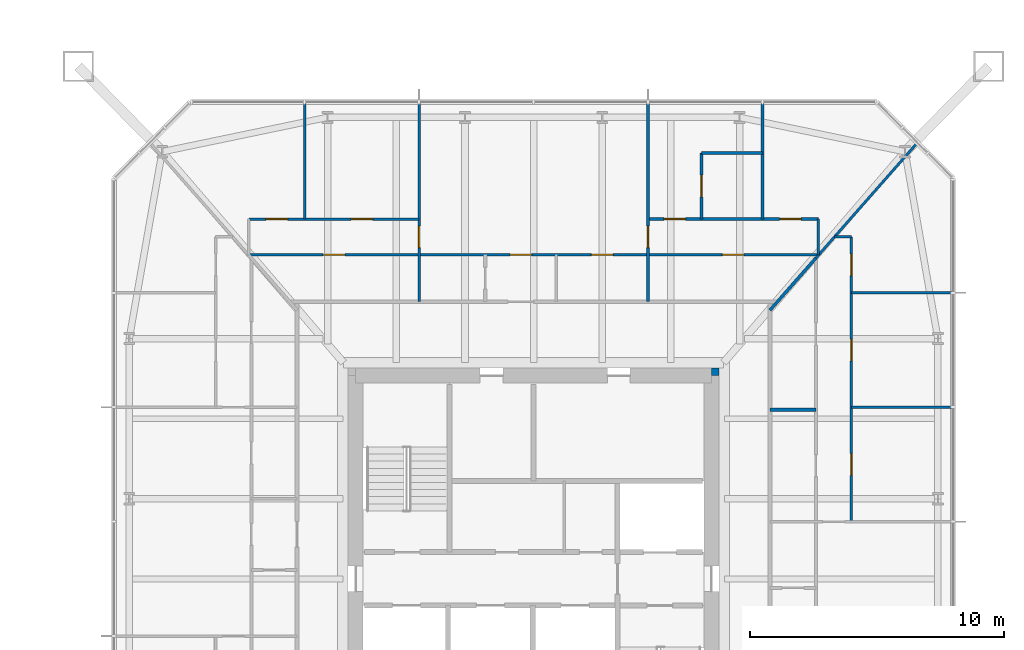
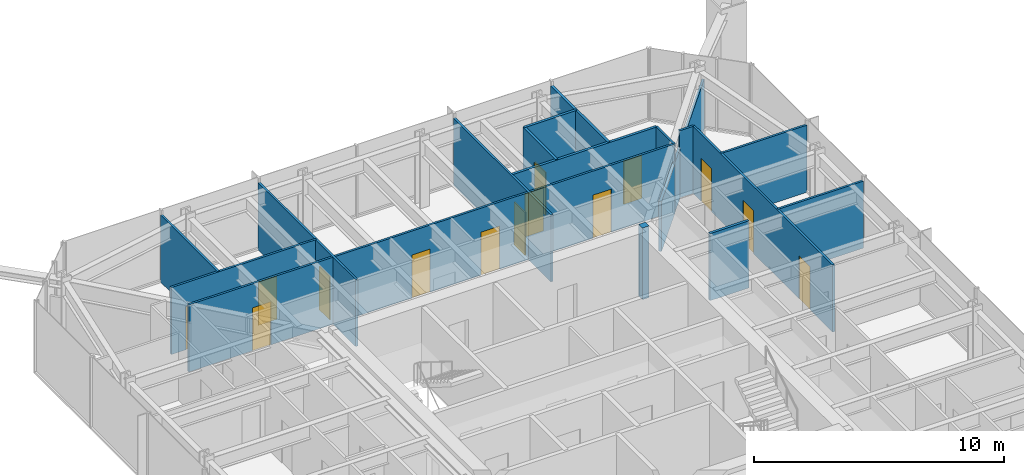
# One storey, part 21 of 26: 18 walls, 14 doors, 14 openings.
"""IFC4 building model written with IfcOpenShell, lengths in metres."""

from ifc_helpers import new_model, si_unit, direction, frame, frame_2d, origin, place, context, subcontext, project, spatial, rectangle, extrude, material, layer, layer_set, type_object, element, fill, save


model = new_model("IFC4")

# Units and contexts
model_context = context("Model", 3, precision=1e-05, world=origin(), true_north=direction((0.0, 1.0)))
body_context = subcontext(model_context, "Body", "Model", "MODEL_VIEW")
ifc_project = project(units=[si_unit("LENGTHUNIT", "METRE"), si_unit("AREAUNIT", "SQUARE_METRE"), si_unit("VOLUMEUNIT", "CUBIC_METRE"), si_unit("PLANEANGLEUNIT", "RADIAN"), si_unit("MASSUNIT", "GRAM", prefix="KILO")], contexts=[model_context])

# Site, building, storey
site_placement = place(None, origin())
site = spatial("IfcSite", under=ifc_project, at=site_placement, CompositionType="ELEMENT")
building_placement = place(site_placement, origin())
building = spatial("IfcBuilding", under=site, at=building_placement, Name="Iwan Alto Co-Living Towers", CompositionType="ELEMENT")
storey_placement = place(building_placement, frame((0.0, 0.0, 36.0)))
storey = spatial("IfcBuildingStorey", under=building, at=storey_placement, Name="L09", CompositionType="ELEMENT", Elevation=36.0)

# Walls
ifc_material_1 = material(Name="Gypsum board")
ifc_layer_1 = layer(ifc_material_1, 0.012451171875, Name="Board", Category="Finish")
ifc_material_2 = material(Name="Steel ASTM A1003 ST33H cold-formed studs", Category="steel")
ifc_layer_2 = layer(ifc_material_2, 0.074951171875, Name="Studs", Category="Framing")
ifc_layer_3 = layer(ifc_material_1, 0.012451171875, Name="Board", Category="Finish")
ifc_layer_set_1 = layer_set([ifc_layer_1, ifc_layer_2, ifc_layer_3], Name="PARTITION 100")
wall_type_1 = type_object("IfcWallType", Name="PARTITION 100", PredefinedType="PARTITIONING", material=ifc_layer_set_1)
for number, where, z_axis, x_axis, name in (
    (1, (75.5, 6.75, 0.0), (0.0, 0.0, 1.0), (1.0, 0.0, 0.0), "Partition L09"),
    (2, (75.5, 11.25, 0.0), (0.0, 0.0, 1.0), (1.0, 0.0, 0.0), "Partition L09"),
):
    element("IfcWall", number, at=place(storey_placement, frame(where, z_axis=z_axis, x_axis=x_axis)), inside=storey, type_object=wall_type_1, Name=name, PredefinedType="PARTITIONING", context=body_context, shape_type="SweptSolid", body=[
        extrude(rectangle(XDim=3.93994140625, YDim=0.10009765625, at=frame_2d((1.969970703125, 0.0))), origin(), (0.0, 0.0, 1.0), 3.27001953125),
    ])

# Wall, openings, doors
wall_1_placement = place(storey_placement, frame((51.800048828125, 12.75, 0.0), z_axis=(0.0, 0.0, 1.0), x_axis=(1.0, 0.0, 0.0)))
wall_1 = element("IfcWall", 3, at=wall_1_placement, inside=storey, type_object=wall_type_1, Name="Partition L09", PredefinedType="PARTITIONING", context=body_context, shape_type="SweptSolid", body=[
    extrude(rectangle(XDim=22.39990234375, YDim=0.10009765625, at=frame_2d((11.199951171875, 0.0))), origin(), (0.0, 0.0, 1.0), 3.27001953125),
])
opening_1_placement = place(wall_1_placement, frame((13.47509765625, 0.0, 0.0)))
opening_1 = element("IfcOpeningElement", 4, at=opening_1_placement, cuts=wall_1, Name="Opening D2", PredefinedType="OPENING", context=body_context, shape_type="SweptSolid", body=[
    extrude(rectangle(XDim=0.85009765625, YDim=2.10009765625, at=frame_2d((0.425048828125, 1.050048828125))), frame((0.0, 0.06005859375, 0.0), z_axis=(0.0, -1.0, 0.0), x_axis=(1.0, 0.0, 0.0)), (0.0, 0.0, 1.0), 0.1201171875),
])
opening_2_placement = place(wall_1_placement, frame((10.27490234375, 0.0, 0.0)))
opening_2 = element("IfcOpeningElement", 5, at=opening_2_placement, cuts=wall_1, Name="Opening D2", PredefinedType="OPENING", context=body_context, shape_type="SweptSolid", body=[
    extrude(rectangle(XDim=0.85009765625, YDim=2.10009765625, at=frame_2d((0.425048828125, 1.050048828125))), frame((0.0, 0.06005859375, 0.0), z_axis=(0.0, -1.0, 0.0), x_axis=(1.0, 0.0, 0.0)), (0.0, 0.0, 1.0), 0.1201171875),
])
opening_3_placement = place(wall_1_placement, frame((18.625, 0.0, 0.0)))
opening_3 = element("IfcOpeningElement", 6, at=opening_3_placement, cuts=wall_1, Name="Opening D2", PredefinedType="OPENING", context=body_context, shape_type="SweptSolid", body=[
    extrude(rectangle(XDim=0.85009765625, YDim=2.10009765625, at=frame_2d((0.425048828125, 1.050048828125))), frame((0.0, 0.06005859375, 0.0), z_axis=(0.0, -1.0, 0.0), x_axis=(1.0, 0.0, 0.0)), (0.0, 0.0, 1.0), 0.1201171875),
])
opening_4_placement = place(wall_1_placement, frame((2.925048828125, 0.0, 0.0)))
opening_4 = element("IfcOpeningElement", 7, at=opening_4_placement, cuts=wall_1, Name="Opening D2", PredefinedType="OPENING", context=body_context, shape_type="SweptSolid", body=[
    extrude(rectangle(XDim=0.85009765625, YDim=2.10009765625, at=frame_2d((0.425048828125, 1.050048828125))), frame((0.0, 0.06005859375, 0.0), z_axis=(0.0, -1.0, 0.0), x_axis=(1.0, 0.0, 0.0)), (0.0, 0.0, 1.0), 0.1201171875),
])
ifc_material_3 = material(Name="Timber leaf in steel frame", Category="steel")
door_type = type_object("IfcDoorType", Name="ROOM DOOR 850X2100", OperationType="SINGLE_SWING_LEFT", PredefinedType="DOOR", material=ifc_material_3)
door_1_placement = place(opening_1_placement, origin())
door_1 = element("IfcDoor", 8, at=door_1_placement, inside=storey, type_object=door_type, Name="Kitchen door L09", OperationType="SINGLE_SWING_RIGHT", OverallHeight=2.10009765625, OverallWidth=0.85009765625, PredefinedType="DOOR", context=body_context, shape_type="SweptSolid", body=[
    extrude(rectangle(XDim=0.85009765625, YDim=2.10009765625, at=frame_2d((0.425048828125, 1.050048828125))), frame((0.0, 0.02490234375, 0.0), z_axis=(0.0, -1.0, 0.0), x_axis=(1.0, 0.0, 0.0)), (0.0, 0.0, 1.0), 0.050048828125),
])
fill(opening_1, door_1)
door_2_placement = place(opening_2_placement, origin())
door_2 = element("IfcDoor", 9, at=door_2_placement, inside=storey, type_object=door_type, Name="Apartment foyer door L09", OperationType="SINGLE_SWING_LEFT", OverallHeight=2.10009765625, OverallWidth=0.85009765625, PredefinedType="DOOR", context=body_context, shape_type="SweptSolid", body=[
    extrude(rectangle(XDim=0.85009765625, YDim=2.10009765625, at=frame_2d((0.425048828125, 1.050048828125))), frame((0.0, 0.02490234375, 0.0), z_axis=(0.0, -1.0, 0.0), x_axis=(1.0, 0.0, 0.0)), (0.0, 0.0, 1.0), 0.050048828125),
])
fill(opening_2, door_2)
door_3_placement = place(opening_3_placement, frame((0.85009765625, 0.0, 0.0), z_axis=(0.0, 0.0, 1.0), x_axis=(-1.0, 0.0, 0.0)))
door_3 = element("IfcDoor", 10, at=door_3_placement, inside=storey, type_object=door_type, Name="Utility room door L09", OperationType="SINGLE_SWING_LEFT", OverallHeight=2.10009765625, OverallWidth=0.85009765625, PredefinedType="DOOR", context=body_context, shape_type="SweptSolid", body=[
    extrude(rectangle(XDim=0.85009765625, YDim=2.10009765625, at=frame_2d((0.425048828125, 1.050048828125))), frame((0.0, 0.02490234375, 0.0), z_axis=(0.0, -1.0, 0.0), x_axis=(1.0, 0.0, 0.0)), (0.0, 0.0, 1.0), 0.050048828125),
])
fill(opening_3, door_3)
door_4_placement = place(opening_4_placement, frame((0.85009765625, 0.0, 0.0), z_axis=(0.0, 0.0, 1.0), x_axis=(-1.0, 0.0, 0.0)))
door_4 = element("IfcDoor", 11, at=door_4_placement, inside=storey, type_object=door_type, Name="Utility room door L09", OperationType="SINGLE_SWING_RIGHT", OverallHeight=2.10009765625, OverallWidth=0.85009765625, PredefinedType="DOOR", context=body_context, shape_type="SweptSolid", body=[
    extrude(rectangle(XDim=0.85009765625, YDim=2.10009765625, at=frame_2d((0.425048828125, 1.050048828125))), frame((0.0, 0.02490234375, 0.0), z_axis=(0.0, -1.0, 0.0), x_axis=(1.0, 0.0, 0.0)), (0.0, 0.0, 1.0), 0.050048828125),
])
fill(opening_4, door_4)

# Wall
wall_2_placement = place(storey_placement, frame((74.8359375, 13.449951171875, 0.0), z_axis=(0.0, 0.0, 1.0), x_axis=(1.0, 0.0, 0.0)))
element("IfcWall", 12, at=wall_2_placement, inside=storey, type_object=wall_type_1, Name="Partition L09", PredefinedType="PARTITIONING", context=body_context, shape_type="SweptSolid", body=[
    extrude(rectangle(XDim=0.6640625, YDim=0.10009765625, at=frame_2d((0.33203125, 0.0))), origin(), (0.0, 0.0, 1.0), 3.27001953125),
])

# Wall, openings, doors
wall_3_placement = place(storey_placement, frame((51.800048828125, 14.14990234375, 0.0), z_axis=(0.0, 0.0, 1.0), x_axis=(1.0, 0.0, 0.0)))
wall_3 = element("IfcWall", 13, at=wall_3_placement, inside=storey, type_object=wall_type_1, Name="Partition L09", PredefinedType="PARTITIONING", context=body_context, shape_type="SweptSolid", body=[
    extrude(rectangle(XDim=6.699951171875, YDim=0.10009765625, at=frame_2d((3.35009765625, 0.0))), origin(), (0.0, 0.0, 1.0), 3.27001953125),
])
opening_5_placement = place(wall_3_placement, frame((4.02490234375, 0.0, 0.0)))
opening_5 = element("IfcOpeningElement", 14, at=opening_5_placement, cuts=wall_3, Name="Opening D2", PredefinedType="OPENING", context=body_context, shape_type="SweptSolid", body=[
    extrude(rectangle(XDim=0.85009765625, YDim=2.10009765625, at=frame_2d((0.425048828125, 1.050048828125))), frame((0.0, 0.06005859375, 0.0), z_axis=(0.0, -1.0, 0.0), x_axis=(1.0, 0.0, 0.0)), (0.0, 0.0, 1.0), 0.1201171875),
])
opening_6_placement = place(wall_3_placement, frame((0.675048828125, 0.0, 0.0)))
opening_6 = element("IfcOpeningElement", 15, at=opening_6_placement, cuts=wall_3, Name="Opening D2", PredefinedType="OPENING", context=body_context, shape_type="SweptSolid", body=[
    extrude(rectangle(XDim=0.85009765625, YDim=2.10009765625, at=frame_2d((0.425048828125, 1.050048828125))), frame((0.0, 0.06005859375, 0.0), z_axis=(0.0, -1.0, 0.0), x_axis=(1.0, 0.0, 0.0)), (0.0, 0.0, 1.0), 0.1201171875),
])
door_5_placement = place(opening_5_placement, origin())
door_5 = element("IfcDoor", 16, at=door_5_placement, inside=storey, type_object=door_type, Name="Study door L09", OperationType="SINGLE_SWING_LEFT", OverallHeight=2.10009765625, OverallWidth=0.85009765625, PredefinedType="DOOR", context=body_context, shape_type="SweptSolid", body=[
    extrude(rectangle(XDim=0.85009765625, YDim=2.10009765625, at=frame_2d((0.425048828125, 1.050048828125))), frame((0.0, 0.02490234375, 0.0), z_axis=(0.0, -1.0, 0.0), x_axis=(1.0, 0.0, 0.0)), (0.0, 0.0, 1.0), 0.050048828125),
])
fill(opening_5, door_5)
door_6_placement = place(opening_6_placement, origin())
door_6 = element("IfcDoor", 17, at=door_6_placement, inside=storey, type_object=door_type, Name="Bedroom door L09", OperationType="SINGLE_SWING_RIGHT", OverallHeight=2.10009765625, OverallWidth=0.85009765625, PredefinedType="DOOR", context=body_context, shape_type="SweptSolid", body=[
    extrude(rectangle(XDim=0.85009765625, YDim=2.10009765625, at=frame_2d((0.425048828125, 1.050048828125))), frame((0.0, 0.02490234375, 0.0), z_axis=(0.0, -1.0, 0.0), x_axis=(1.0, 0.0, 0.0)), (0.0, 0.0, 1.0), 0.050048828125),
])
fill(opening_6, door_6)

# Wall
wall_4_placement = place(storey_placement, frame((74.10009765625, 12.614013671875, 0.0), z_axis=(0.0, 0.0, 1.0), x_axis=(0.660755619739, 0.750601099775, 0.0)))
element("IfcWall", 18, at=wall_4_placement, inside=storey, type_object=wall_type_1, Name="Partition L09", PredefinedType="PARTITIONING", context=body_context, shape_type="SweptSolid", body=[
    extrude(rectangle(XDim=5.989013671875, YDim=0.10009765625, at=frame_2d((2.99462890625, 0.0))), origin(), (0.0, 0.0, 1.0), 2.42919921875),
])

# Wall, openings, doors
wall_5_placement = place(storey_placement, frame((75.5, 2.25, 0.0), z_axis=(0.0, 0.0, 1.0), x_axis=(0.0, 1.0, 0.0)))
wall_5 = element("IfcWall", 19, at=wall_5_placement, inside=storey, type_object=wall_type_1, Name="Partition L09", PredefinedType="PARTITIONING", context=body_context, shape_type="SweptSolid", body=[
    extrude(rectangle(XDim=11.199951171875, YDim=0.10009765625, at=frame_2d((5.60009765625, 0.0))), origin(), (0.0, 0.0, 1.0), 3.27001953125),
])
opening_7_placement = place(wall_5_placement, frame((1.824951171875, 0.0, 0.0)))
opening_7 = element("IfcOpeningElement", 20, at=opening_7_placement, cuts=wall_5, Name="Opening D2", PredefinedType="OPENING", context=body_context, shape_type="SweptSolid", body=[
    extrude(rectangle(XDim=0.85009765625, YDim=2.10009765625, at=frame_2d((0.425048828125, 1.050048828125))), frame((0.0, 0.06005859375, 0.0), z_axis=(0.0, -1.0, 0.0), x_axis=(1.0, 0.0, 0.0)), (0.0, 0.0, 1.0), 0.1201171875),
])
opening_8_placement = place(wall_5_placement, frame((6.324951171875, 0.0, 0.0)))
opening_8 = element("IfcOpeningElement", 21, at=opening_8_placement, cuts=wall_5, Name="Opening D2", PredefinedType="OPENING", context=body_context, shape_type="SweptSolid", body=[
    extrude(rectangle(XDim=0.85009765625, YDim=2.10009765625, at=frame_2d((0.425048828125, 1.050048828125))), frame((0.0, 0.06005859375, 0.0), z_axis=(0.0, -1.0, 0.0), x_axis=(1.0, 0.0, 0.0)), (0.0, 0.0, 1.0), 0.1201171875),
])
opening_9_placement = place(wall_5_placement, frame((9.675048828125, 0.0, 0.0)))
opening_9 = element("IfcOpeningElement", 22, at=opening_9_placement, cuts=wall_5, Name="Opening D2", PredefinedType="OPENING", context=body_context, shape_type="SweptSolid", body=[
    extrude(rectangle(XDim=0.85009765625, YDim=2.10009765625, at=frame_2d((0.425048828125, 1.050048828125))), frame((0.0, 0.06005859375, 0.0), z_axis=(0.0, -1.0, 0.0), x_axis=(1.0, 0.0, 0.0)), (0.0, 0.0, 1.0), 0.1201171875),
])
door_7_placement = place(opening_7_placement, frame((0.85009765625, 0.0, 0.0), z_axis=(0.0, 0.0, 1.0), x_axis=(-1.0, 0.0, 0.0)))
door_7 = element("IfcDoor", 23, at=door_7_placement, inside=storey, type_object=door_type, Name="Family room door L09", OperationType="SINGLE_SWING_RIGHT", OverallHeight=2.10009765625, OverallWidth=0.85009765625, PredefinedType="DOOR", context=body_context, shape_type="SweptSolid", body=[
    extrude(rectangle(XDim=0.85009765625, YDim=2.10009765625, at=frame_2d((0.425048828125, 1.050048828125))), frame((0.0, 0.02490234375, 0.0), z_axis=(0.0, -1.0, 0.0), x_axis=(1.0, 0.0, 0.0)), (0.0, 0.0, 1.0), 0.050048828125),
])
fill(opening_7, door_7)
door_8_placement = place(opening_8_placement, frame((0.85009765625, 0.0, 0.0), z_axis=(0.0, 0.0, 1.0), x_axis=(-1.0, 0.0, 0.0)))
door_8 = element("IfcDoor", 24, at=door_8_placement, inside=storey, type_object=door_type, Name="Bedroom door L09", OperationType="SINGLE_SWING_RIGHT", OverallHeight=2.10009765625, OverallWidth=0.85009765625, PredefinedType="DOOR", context=body_context, shape_type="SweptSolid", body=[
    extrude(rectangle(XDim=0.85009765625, YDim=2.10009765625, at=frame_2d((0.425048828125, 1.050048828125))), frame((0.0, 0.02490234375, 0.0), z_axis=(0.0, -1.0, 0.0), x_axis=(1.0, 0.0, 0.0)), (0.0, 0.0, 1.0), 0.050048828125),
])
fill(opening_8, door_8)
door_9_placement = place(opening_9_placement, frame((0.85009765625, 0.0, 0.0), z_axis=(0.0, 0.0, 1.0), x_axis=(-1.0, 0.0, 0.0)))
door_9 = element("IfcDoor", 25, at=door_9_placement, inside=storey, type_object=door_type, Name="Study door L09", OperationType="SINGLE_SWING_RIGHT", OverallHeight=2.10009765625, OverallWidth=0.85009765625, PredefinedType="DOOR", context=body_context, shape_type="SweptSolid", body=[
    extrude(rectangle(XDim=0.85009765625, YDim=2.10009765625, at=frame_2d((0.425048828125, 1.050048828125))), frame((0.0, 0.02490234375, 0.0), z_axis=(0.0, -1.0, 0.0), x_axis=(1.0, 0.0, 0.0)), (0.0, 0.0, 1.0), 0.050048828125),
])
fill(opening_9, door_9)

# Wall
wall_6_placement = place(storey_placement, frame((74.199951171875, 12.72705078125, 0.0), z_axis=(0.0, 0.0, 1.0), x_axis=(0.0, 1.0, 0.0)))
element("IfcWall", 26, at=wall_6_placement, inside=storey, type_object=wall_type_1, Name="Partition L09", PredefinedType="PARTITIONING", context=body_context, shape_type="SweptSolid", body=[
    extrude(rectangle(XDim=1.4228515625, YDim=0.10009765625, at=frame_2d((0.71142578125, 0.0))), origin(), (0.0, 0.0, 1.0), 3.27001953125),
])

# Wall, opening, door
wall_7_placement = place(storey_placement, frame((67.5, 10.89990234375, 0.0), z_axis=(0.0, 0.0, 1.0), x_axis=(0.0, 1.0, 0.0)))
wall_7 = element("IfcWall", 27, at=wall_7_placement, inside=storey, type_object=wall_type_1, Name="Partition L09", PredefinedType="PARTITIONING", context=body_context, shape_type="SweptSolid", body=[
    extrude(rectangle(XDim=7.7900390625, YDim=0.10009765625, at=frame_2d((3.89501953125, 0.0))), origin(), (0.0, 0.0, 1.0), 3.27001953125),
])
opening_10_placement = place(wall_7_placement, frame((2.125, 0.0, 0.0)))
opening_10 = element("IfcOpeningElement", 28, at=opening_10_placement, cuts=wall_7, Name="Opening D2", PredefinedType="OPENING", context=body_context, shape_type="SweptSolid", body=[
    extrude(rectangle(XDim=0.85009765625, YDim=2.10009765625, at=frame_2d((0.425048828125, 1.050048828125))), frame((0.0, 0.06005859375, 0.0), z_axis=(0.0, -1.0, 0.0), x_axis=(1.0, 0.0, 0.0)), (0.0, 0.0, 1.0), 0.1201171875),
])
door_10_placement = place(opening_10_placement, origin())
door_10 = element("IfcDoor", 29, at=door_10_placement, inside=storey, type_object=door_type, Name="Apartment hall door L09", OperationType="SINGLE_SWING_LEFT", OverallHeight=2.10009765625, OverallWidth=0.85009765625, PredefinedType="DOOR", context=body_context, shape_type="SweptSolid", body=[
    extrude(rectangle(XDim=0.85009765625, YDim=2.10009765625, at=frame_2d((0.425048828125, 1.050048828125))), frame((0.0, 0.02490234375, 0.0), z_axis=(0.0, -1.0, 0.0), x_axis=(1.0, 0.0, 0.0)), (0.0, 0.0, 1.0), 0.050048828125),
])
fill(opening_10, door_10)

wall_8_placement = place(storey_placement, frame((58.5, 10.89990234375, 0.0), z_axis=(0.0, 0.0, 1.0), x_axis=(0.0, 1.0, 0.0)))
wall_8 = element("IfcWall", 30, at=wall_8_placement, inside=storey, type_object=wall_type_1, Name="Partition L09", PredefinedType="PARTITIONING", context=body_context, shape_type="SweptSolid", body=[
    extrude(rectangle(XDim=7.7900390625, YDim=0.10009765625, at=frame_2d((3.89501953125, 0.0))), origin(), (0.0, 0.0, 1.0), 3.27001953125),
])
opening_11_placement = place(wall_8_placement, frame((2.125, 0.0, 0.0)))
opening_11 = element("IfcOpeningElement", 31, at=opening_11_placement, cuts=wall_8, Name="Opening D2", PredefinedType="OPENING", context=body_context, shape_type="SweptSolid", body=[
    extrude(rectangle(XDim=0.85009765625, YDim=2.10009765625, at=frame_2d((0.425048828125, 1.050048828125))), frame((0.0, 0.06005859375, 0.0), z_axis=(0.0, -1.0, 0.0), x_axis=(1.0, 0.0, 0.0)), (0.0, 0.0, 1.0), 0.1201171875),
])
door_11_placement = place(opening_11_placement, frame((0.85009765625, 0.0, 0.0), z_axis=(0.0, 0.0, 1.0), x_axis=(-1.0, 0.0, 0.0)))
door_11 = element("IfcDoor", 32, at=door_11_placement, inside=storey, type_object=door_type, Name="Apartment hall door L09", OperationType="SINGLE_SWING_RIGHT", OverallHeight=2.10009765625, OverallWidth=0.85009765625, PredefinedType="DOOR", context=body_context, shape_type="SweptSolid", body=[
    extrude(rectangle(XDim=0.85009765625, YDim=2.10009765625, at=frame_2d((0.425048828125, 1.050048828125))), frame((0.0, 0.02490234375, 0.0), z_axis=(0.0, -1.0, 0.0), x_axis=(1.0, 0.0, 0.0)), (0.0, 0.0, 1.0), 0.050048828125),
])
fill(opening_11, door_11)

# Walls
wall_9_placement = place(storey_placement, frame((54.0, 14.14990234375, 0.0), z_axis=(0.0, 0.0, 1.0), x_axis=(0.0, 1.0, 0.0)))
element("IfcWall", 33, at=wall_9_placement, inside=storey, type_object=wall_type_1, Name="Partition L09", PredefinedType="PARTITIONING", context=body_context, shape_type="SweptSolid", body=[
    extrude(rectangle(XDim=4.5400390625, YDim=0.10009765625, at=frame_2d((2.27001953125, 0.0))), origin(), (0.0, 0.0, 1.0), 3.27001953125),
])
ifc_material_4 = material(Name="Concrete f'c 70 MPa", Category="concrete")
ifc_layer_4 = layer(ifc_material_4, 0.300048828125)
ifc_layer_set_2 = layer_set([ifc_layer_4], Name="T2 CORE CORNER FILL 300")
wall_type_2 = type_object("IfcWallType", Name="T2 CORE CORNER FILL 300", PredefinedType="SOLIDWALL", material=ifc_layer_set_2)
wall_10_placement = place(storey_placement, frame((70.0, 8.14990234375, 0.0), z_axis=(0.0, 0.0, 1.0), x_axis=(1.0, 0.0, 0.0)))
element("IfcWall", 34, at=wall_10_placement, inside=storey, type_object=wall_type_2, Name="T2 core corner NE L09", PredefinedType="SOLIDWALL", context=body_context, shape_type="SweptSolid", body=[
    extrude(rectangle(XDim=0.300048828125, YDim=0.300048828125, at=frame_2d((0.14990234375, 0.0))), origin(), (0.0, 0.0, 1.0), 3.5),
])
ifc_material_5 = material(Name="Cement board")
ifc_layer_5 = layer(ifc_material_5, 0.012451171875, Name="Board", Category="Finish")
ifc_layer_6 = layer(ifc_material_2, 0.094970703125, Name="Studs", Category="Framing")
ifc_layer_7 = layer(ifc_material_5, 0.012451171875, Name="Board", Category="Finish")
ifc_layer_set_3 = layer_set([ifc_layer_5, ifc_layer_6, ifc_layer_7], Name="WET AREA PARTITION 120")
wall_type_3 = type_object("IfcWallType", Name="WET AREA PARTITION 120", PredefinedType="PARTITIONING", material=ifc_layer_set_3)
wall_11_placement = place(storey_placement, frame((72.300048828125, 6.64990234375, 0.0), z_axis=(0.0, 0.0, 1.0), x_axis=(1.0, 0.0, 0.0)))
element("IfcWall", 35, at=wall_11_placement, inside=storey, type_object=wall_type_3, Name="Partition L09", PredefinedType="PARTITIONING", context=body_context, shape_type="SweptSolid", body=[
    extrude(rectangle(XDim=1.800048828125, YDim=0.1201171875, at=frame_2d((0.89990234375, 0.0))), origin(), (0.0, 0.0, 1.0), 3.27001953125),
])

# Wall, openings, doors
wall_12_placement = place(storey_placement, frame((67.5, 14.14990234375, 0.0), z_axis=(0.0, 0.0, 1.0), x_axis=(1.0, 0.0, 0.0)))
wall_12 = element("IfcWall", 36, at=wall_12_placement, inside=storey, type_object=wall_type_3, Name="Partition L09", PredefinedType="PARTITIONING", context=body_context, shape_type="SweptSolid", body=[
    extrude(rectangle(XDim=6.699951171875, YDim=0.1201171875, at=frame_2d((3.35009765625, 0.0))), origin(), (0.0, 0.0, 1.0), 3.27001953125),
])
opening_12_placement = place(wall_12_placement, frame((0.625, 0.0, 0.0)))
opening_12 = element("IfcOpeningElement", 37, at=opening_12_placement, cuts=wall_12, Name="Opening D2", PredefinedType="OPENING", context=body_context, shape_type="SweptSolid", body=[
    extrude(rectangle(XDim=0.85009765625, YDim=2.10009765625, at=frame_2d((0.425048828125, 1.050048828125))), frame((0.0, 0.070068359375, 0.0), z_axis=(0.0, -1.0, 0.0), x_axis=(1.0, 0.0, 0.0)), (0.0, 0.0, 1.0), 0.14013671875),
])
opening_13_placement = place(wall_12_placement, frame((5.175048828125, 0.0, 0.0)))
opening_13 = element("IfcOpeningElement", 38, at=opening_13_placement, cuts=wall_12, Name="Opening D2", PredefinedType="OPENING", context=body_context, shape_type="SweptSolid", body=[
    extrude(rectangle(XDim=0.85009765625, YDim=2.10009765625, at=frame_2d((0.425048828125, 1.050048828125))), frame((0.0, 0.070068359375, 0.0), z_axis=(0.0, -1.0, 0.0), x_axis=(1.0, 0.0, 0.0)), (0.0, 0.0, 1.0), 0.14013671875),
])
door_12_placement = place(opening_12_placement, origin())
door_12 = element("IfcDoor", 39, at=door_12_placement, inside=storey, type_object=door_type, Name="Bedroom door L09", OperationType="SINGLE_SWING_LEFT", OverallHeight=2.10009765625, OverallWidth=0.85009765625, PredefinedType="DOOR", context=body_context, shape_type="SweptSolid", body=[
    extrude(rectangle(XDim=0.85009765625, YDim=2.10009765625, at=frame_2d((0.425048828125, 1.050048828125))), frame((0.0, 0.02490234375, 0.0), z_axis=(0.0, -1.0, 0.0), x_axis=(1.0, 0.0, 0.0)), (0.0, 0.0, 1.0), 0.050048828125),
])
fill(opening_12, door_12)
door_13_placement = place(opening_13_placement, origin())
door_13 = element("IfcDoor", 40, at=door_13_placement, inside=storey, type_object=door_type, Name="Bedroom door L09", OperationType="SINGLE_SWING_LEFT", OverallHeight=2.10009765625, OverallWidth=0.85009765625, PredefinedType="DOOR", context=body_context, shape_type="SweptSolid", body=[
    extrude(rectangle(XDim=0.85009765625, YDim=2.10009765625, at=frame_2d((0.425048828125, 1.050048828125))), frame((0.0, 0.02490234375, 0.0), z_axis=(0.0, -1.0, 0.0), x_axis=(1.0, 0.0, 0.0)), (0.0, 0.0, 1.0), 0.050048828125),
])
fill(opening_13, door_13)

# Walls
wall_13_placement = place(storey_placement, frame((69.60009765625, 16.75, 0.0), z_axis=(0.0, 0.0, 1.0), x_axis=(1.0, 0.0, 0.0)))
element("IfcWall", 41, at=wall_13_placement, inside=storey, type_object=wall_type_3, Name="Partition L09", PredefinedType="PARTITIONING", context=body_context, shape_type="SweptSolid", body=[
    extrude(rectangle(XDim=2.39990234375, YDim=0.1201171875, at=frame_2d((1.199951171875, 0.0))), origin(), (0.0, 0.0, 1.0), 3.27001953125),
])
wall_14_placement = place(storey_placement, frame((72.29931640625, 10.568603515625, 0.0), z_axis=(0.0, 0.0, 1.0), x_axis=(0.660797520752, 0.750564212155, 0.0)))
element("IfcWall", 42, at=wall_14_placement, inside=storey, type_object=wall_type_3, Name="Partition L09", PredefinedType="PARTITIONING", context=body_context, shape_type="SweptSolid", body=[
    extrude(rectangle(XDim=2.72509765625, YDim=0.1201171875, at=frame_2d((1.362548828125, 0.0))), origin(), (0.0, 0.0, 1.0), 2.42919921875),
])
wall_15_placement = place(storey_placement, frame((72.0, 14.14990234375, 0.0), z_axis=(0.0, 0.0, 1.0), x_axis=(0.0, 1.0, 0.0)))
element("IfcWall", 43, at=wall_15_placement, inside=storey, type_object=wall_type_3, Name="Partition L09", PredefinedType="PARTITIONING", context=body_context, shape_type="SweptSolid", body=[
    extrude(rectangle(XDim=4.5400390625, YDim=0.1201171875, at=frame_2d((2.27001953125, 0.0))), origin(), (0.0, 0.0, 1.0), 3.27001953125),
])

# Wall, opening, door
wall_16_placement = place(storey_placement, frame((69.60009765625, 14.14990234375, 0.0), z_axis=(0.0, 0.0, 1.0), x_axis=(0.0, 1.0, 0.0)))
wall_16 = element("IfcWall", 44, at=wall_16_placement, inside=storey, type_object=wall_type_3, Name="Partition L09", PredefinedType="PARTITIONING", context=body_context, shape_type="SweptSolid", body=[
    extrude(rectangle(XDim=2.60009765625, YDim=0.1201171875, at=frame_2d((1.300048828125, 0.0))), origin(), (0.0, 0.0, 1.0), 3.27001953125),
])
opening_14_placement = place(wall_16_placement, frame((0.875, 0.0, 0.0)))
opening_14 = element("IfcOpeningElement", 45, at=opening_14_placement, cuts=wall_16, Name="Opening D2", PredefinedType="OPENING", context=body_context, shape_type="SweptSolid", body=[
    extrude(rectangle(XDim=0.85009765625, YDim=2.10009765625, at=frame_2d((0.425048828125, 1.050048828125))), frame((0.0, 0.070068359375, 0.0), z_axis=(0.0, -1.0, 0.0), x_axis=(1.0, 0.0, 0.0)), (0.0, 0.0, 1.0), 0.14013671875),
])
door_14_placement = place(opening_14_placement, origin())
door_14 = element("IfcDoor", 46, at=door_14_placement, inside=storey, type_object=door_type, Name="En-suite shower room door L09", OperationType="SINGLE_SWING_LEFT", OverallHeight=2.10009765625, OverallWidth=0.85009765625, PredefinedType="DOOR", context=body_context, shape_type="SweptSolid", body=[
    extrude(rectangle(XDim=0.85009765625, YDim=2.10009765625, at=frame_2d((0.425048828125, 1.050048828125))), frame((0.0, 0.02490234375, 0.0), z_axis=(0.0, -1.0, 0.0), x_axis=(1.0, 0.0, 0.0)), (0.0, 0.0, 1.0), 0.050048828125),
])
fill(opening_14, door_14)

save(model, "model.ifc")
